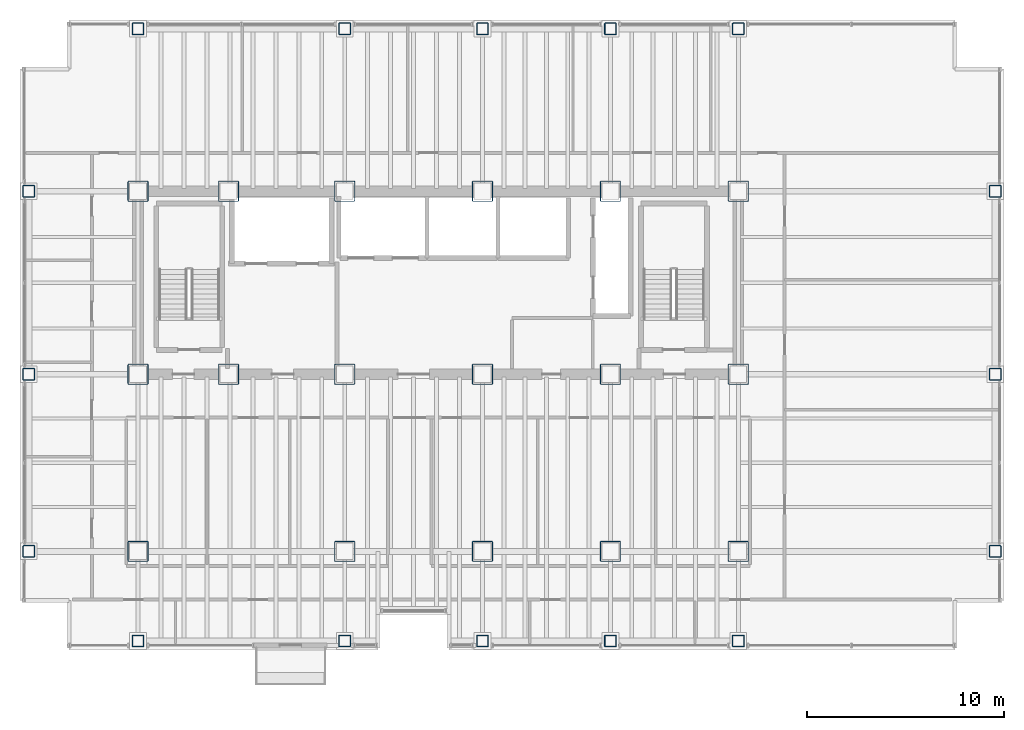
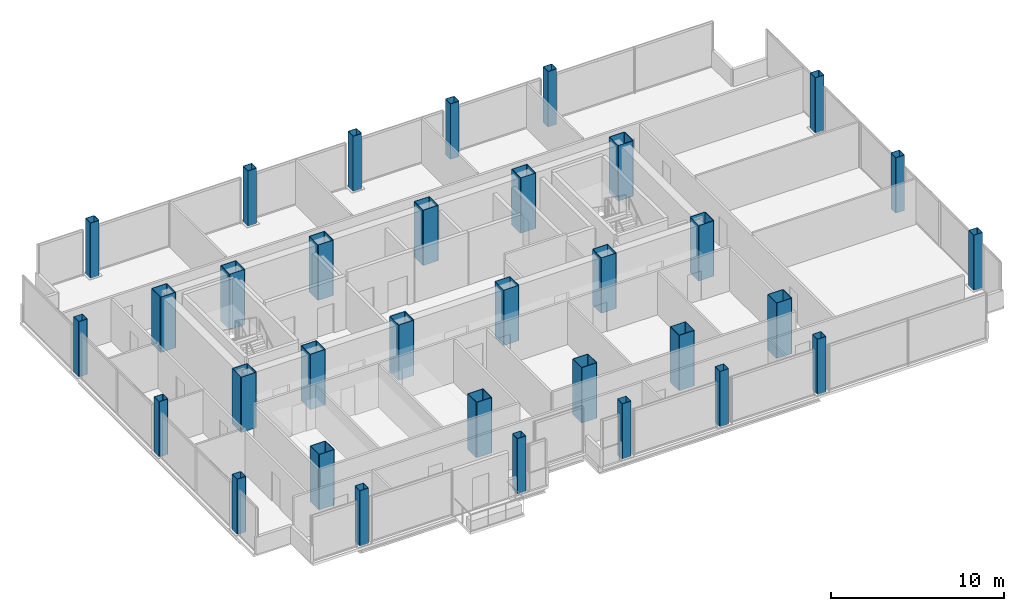
# One storey, part 1 of 20: 33 columns.
"""IFC4 building model written with IfcOpenShell, lengths in metres."""

import ifcopenshell
import ifcopenshell.guid

model = None  # the IFC model being written
_history = None  # IfcOwnerHistory: only IFC2X3 demands one
_inside = {}  # id of a spatial element -> (the spatial element, [elements in it])
_under = {}  # id of a project, library or spatial element -> (it, [spatial elements below it])
_declared = {}  # id of a project -> (the project, [libraries it declares])
_typed = {}  # id of a type object -> (the type object, [elements of that type])
_made_of = {}  # id of a material, layer set ... -> (it, [elements and type objects made of it])


def new_model(schema):
    """Start an empty IFC model of exactly this schema.

    Asked for "IFC4X3", IfcOpenShell would pick the latest addendum, in which some entities
    have other attributes; the version numbers below select the first issue.
    IFC2X3 requires an IfcOwnerHistory on every rooted entity: one is made here for all.
    """
    global model, _history
    if schema == "IFC4X3":
        model = ifcopenshell.file(schema_version=(4, 3, 0, 0))
    else:
        model = ifcopenshell.file(schema=schema)
    _inside.clear()
    _under.clear()
    _declared.clear()
    _typed.clear()
    _made_of.clear()
    _history = None
    if model.schema == "IFC2X3":
        org = make("IfcOrganization", Name="unknown")
        user = make(
            "IfcPersonAndOrganization",
            ThePerson=make("IfcPerson", FamilyName="unknown"),
            TheOrganization=org,
        )
        app = make(
            "IfcApplication",
            ApplicationDeveloper=org,
            Version="unknown",
            ApplicationFullName="unknown",
            ApplicationIdentifier="unknown",
        )
        _history = make(
            "IfcOwnerHistory",
            OwningUser=user,
            OwningApplication=app,
            ChangeAction="ADDED",
            CreationDate=0,
        )
    return model


def make(cls, **values):
    """One entity of the class cls with the attributes given. An attribute that is None is left unset."""
    return model.create_entity(
        cls, **{name: value for name, value in values.items() if value is not None}
    )


def rooted(cls, **values):
    """An entity with a GlobalId (a new one), such as an element, a storey or a relation."""
    return make(cls, GlobalId=ifcopenshell.guid.new(), OwnerHistory=_history, **values)


def si_unit(unit_type, name, prefix=None):
    """IfcSIUnit, for example si_unit("LENGTHUNIT", "METRE", prefix="MILLI")."""
    return make("IfcSIUnit", UnitType=unit_type, Prefix=prefix, Name=name)


def assignment(units):
    """IfcUnitAssignment: the units of a project."""
    return None if units is None else make("IfcUnitAssignment", Units=units)


def point(xyz):
    """IfcCartesianPoint."""
    return None if xyz is None else make("IfcCartesianPoint", Coordinates=xyz)


def direction(xyz):
    """IfcDirection."""
    return None if xyz is None else make("IfcDirection", DirectionRatios=xyz)


def frame(location, z_axis=None, x_axis=None):
    """IfcAxis2Placement3D, a coordinate frame: its origin and axes. An axis left out is left unset."""
    return make(
        "IfcAxis2Placement3D",
        Location=point(location),
        Axis=direction(z_axis),
        RefDirection=direction(x_axis),
    )


def frame_2d(location, x_axis=None):
    """IfcAxis2Placement2D, a coordinate frame in the plane: its origin and x axis."""
    return make(
        "IfcAxis2Placement2D", Location=point(location), RefDirection=direction(x_axis)
    )


def origin():
    """The frame at (0, 0, 0) with its axes left unset."""
    return frame((0.0, 0.0, 0.0))


def origin_2d():
    """The frame at (0, 0) in the plane with its x axis left unset."""
    return frame_2d((0.0, 0.0))


def place(relative_to, where):
    """IfcLocalPlacement: puts the frame where relative to a parent placement (None: the world)."""
    return make(
        "IfcLocalPlacement", PlacementRelTo=relative_to, RelativePlacement=where
    )


def context(
    kind, dimensions, precision=None, world=None, true_north=None, identifier=None
):
    """IfcGeometricRepresentationContext, for example the 3D "Model" context."""
    return make(
        "IfcGeometricRepresentationContext",
        ContextIdentifier=identifier,
        ContextType=kind,
        CoordinateSpaceDimension=dimensions,
        Precision=precision,
        WorldCoordinateSystem=world,
        TrueNorth=true_north,
    )


def subcontext(parent, identifier, kind, view, scale=None):
    """IfcGeometricRepresentationSubContext, for example "Body" below "Model"."""
    return make(
        "IfcGeometricRepresentationSubContext",
        ContextIdentifier=identifier,
        ContextType=kind,
        ParentContext=parent,
        TargetScale=scale,
        TargetView=view,
    )


def project(units=None, contexts=None):
    """IfcProject with its units and contexts."""
    return rooted(
        "IfcProject",
        Name="project",
        RepresentationContexts=contexts,
        UnitsInContext=assignment(units),
    )


def spatial(cls, under=None, at=None, **own):
    """A site, building, storey or space (cls), placed at a placement, below another one or the project."""
    s = rooted(cls, ObjectPlacement=at, **own)
    if under is not None:
        _under.setdefault(under.id(), (under, []))[1].append(s)
    return s


def profile(cls, at=None, kind="AREA", **sizes):
    """A parametric profile (cls). Its sizes go by their IFC names, for example OverallWidth=200.0."""
    return make(cls, ProfileType=kind, Position=at, **sizes)


def hollow_rectangle(**sizes):
    """IfcRectangleHollowProfileDef."""
    return profile("IfcRectangleHollowProfileDef", **sizes)


def extrude(swept, where, along, depth):
    """IfcExtrudedAreaSolid: the profile swept, set in the frame where, extruded along a direction by depth."""
    return make(
        "IfcExtrudedAreaSolid",
        SweptArea=swept,
        Position=where,
        ExtrudedDirection=direction(along),
        Depth=depth,
    )


def shape(context_of_items, identifier, shape_type, items):
    """IfcShapeRepresentation: the items that make up one representation, for example the "Body"."""
    return make(
        "IfcShapeRepresentation",
        ContextOfItems=context_of_items,
        RepresentationIdentifier=identifier,
        RepresentationType=shape_type,
        Items=items,
    )


def material(Name=None, Category=None):
    """IfcMaterial."""
    return make("IfcMaterial", Name=Name, Category=Category)


def material_profile(
    of_material, cross_section, Name=None, Category=None, Priority=None
):
    """IfcMaterialProfile: a cross section and its material."""
    return make(
        "IfcMaterialProfile",
        Name=Name,
        Material=of_material,
        Profile=cross_section,
        Priority=Priority,
        Category=Category,
    )


def profile_set(profiles, Name=None, composite=None):
    """IfcMaterialProfileSet."""
    return make(
        "IfcMaterialProfileSet",
        Name=Name,
        MaterialProfiles=profiles,
        CompositeProfile=composite,
    )


def made_of(thing, what):
    """Note that an element or type object is made of a material, layer set ...; save() writes the relation."""
    if what is not None:
        _made_of.setdefault(what.id(), (what, []))[1].append(thing)
    return thing


def type_object(cls, material=None, **own):
    """A type object (cls), such as IfcWallType, which elements share."""
    return made_of(rooted(cls, **own), material)


def element(
    cls,
    number,
    at=None,
    inside=None,
    cuts=None,
    type_object=None,
    material=None,
    context=None,
    identifier="Body",
    shape_type=None,
    held_by="IfcProductDefinitionShape",
    body=None,
    shapes=None,
    **own,
):
    """One element of the class cls, such as IfcWall. Its Tag is "e" and its number.

    at: its placement. inside: the storey or other place that contains it. cuts: it is an
    opening in that element (IfcRelVoidsElement). A single representation is given by context,
    identifier, shape_type and body (its items); several are given by shapes. held_by: the class
    of the entity that holds the representations. save() writes the other relations.
    """
    e = rooted(cls, Tag="e%d" % number, ObjectPlacement=at, **own)
    if body is not None:
        shapes = [shape(context, identifier, shape_type, body)]
    if shapes is not None:
        e.Representation = make(held_by, Representations=shapes)
    if inside is not None:
        _inside.setdefault(inside.id(), (inside, []))[1].append(e)
    if cuts is not None:
        rooted(
            "IfcRelVoidsElement", RelatingBuildingElement=cuts, RelatedOpeningElement=e
        )
    if type_object is not None:
        _typed.setdefault(type_object.id(), (type_object, []))[1].append(e)
    return made_of(e, material)


def aggregate(whole, parts):
    """IfcRelAggregates: a whole, such as a stair, and the parts it consists of."""
    return rooted("IfcRelAggregates", RelatingObject=whole, RelatedObjects=parts)


def save(model, path):
    """Write the relations noted so far, then the file.

    IfcRelAggregates (storeys below a building ...), IfcRelContainedInSpatialStructure (elements
    in a storey), IfcRelDefinesByType, IfcRelAssociatesMaterial and IfcRelDeclares: one each for
    every whole, place, type object, material and project.
    """
    for whole, parts in _under.values():
        aggregate(whole, parts)
    for where, things in _inside.values():
        rooted(
            "IfcRelContainedInSpatialStructure",
            RelatedElements=things,
            RelatingStructure=where,
        )
    for kind, things in _typed.values():
        rooted("IfcRelDefinesByType", RelatedObjects=things, RelatingType=kind)
    for what, things in _made_of.values():
        rooted("IfcRelAssociatesMaterial", RelatedObjects=things, RelatingMaterial=what)
    for by, libraries in _declared.values():
        rooted("IfcRelDeclares", RelatingContext=by, RelatedDefinitions=libraries)
    model.write(path)


model = new_model("IFC4")

# Units and contexts
model_context = context("Model", 3, precision=1e-05, world=origin(), true_north=direction((0.0, 1.0)))
body_context = subcontext(model_context, "Body", "Model", "MODEL_VIEW")
ifc_project = project(units=[si_unit("LENGTHUNIT", "METRE"), si_unit("AREAUNIT", "SQUARE_METRE"), si_unit("VOLUMEUNIT", "CUBIC_METRE"), si_unit("PLANEANGLEUNIT", "RADIAN"), si_unit("MASSUNIT", "GRAM", prefix="KILO")], contexts=[model_context])

# Site, building, storey
site_placement = place(None, origin())
site = spatial("IfcSite", under=ifc_project, at=site_placement, CompositionType="ELEMENT")
building_placement = place(site_placement, origin())
building = spatial("IfcBuilding", under=site, at=building_placement, Name="Noeulbin Bourse Tower", CompositionType="ELEMENT")
storey_placement = place(building_placement, frame((0.0, 0.0, 57.699951171875)))
storey = spatial("IfcBuildingStorey", under=building, at=storey_placement, Name="L14", CompositionType="ELEMENT", Elevation=57.699951171875)

# Columns
ifc_material = material(Name="Steel S460", Category="steel")
ifc_material_profile_1 = material_profile(ifc_material, hollow_rectangle(XDim=0.60009765625, YDim=0.60009765625, WallThickness=0.02587890625, InnerFilletRadius=0.012939453125, OuterFilletRadius=0.0390625, at=origin_2d()), Name="BOX-600x600x26", Category="LoadBearing")
ifc_profile_set_1 = profile_set([ifc_material_profile_1], Name="Steel S460")
column_type_1 = type_object("IfcColumnType", Name="COL-PER-Z1", PredefinedType="COLUMN", material=ifc_profile_set_1)
for number, where, z_axis, x_axis, name in (
    (1, (7.949951171875, 20.0, 0.0), (0.0, 0.0, 1.0), (1.0, 0.0, 0.0), "Tower Perimeter Column COL-PER-Z1 01"),
    (2, (7.949951171875, 29.0, 0.0), (0.0, 0.0, 1.0), (1.0, 0.0, 0.0), "Tower Perimeter Column COL-PER-Z1 02"),
    (3, (7.949951171875, 38.300048828125, 0.0), (0.0, 0.0, 1.0), (1.0, 0.0, 0.0), "Tower Perimeter Column COL-PER-Z1 03"),
    (4, (13.5, 15.449951171875, 0.0), (0.0, 0.0, 1.0), (1.0, 0.0, 0.0), "Tower Perimeter Column COL-PER-Z1 04"),
    (5, (13.5, 46.550048828125, 0.0), (0.0, 0.0, 1.0), (1.0, 0.0, 0.0), "Tower Perimeter Column COL-PER-Z1 05"),
    (6, (24.0, 15.449951171875, 0.0), (0.0, 0.0, 1.0), (1.0, 0.0, 0.0), "Tower Perimeter Column COL-PER-Z1 06"),
    (7, (24.0, 46.550048828125, 0.0), (0.0, 0.0, 1.0), (1.0, 0.0, 0.0), "Tower Perimeter Column COL-PER-Z1 07"),
    (8, (31.0, 15.449951171875, 0.0), (0.0, 0.0, 1.0), (1.0, 0.0, 0.0), "Tower Perimeter Column COL-PER-Z1 08"),
    (9, (31.0, 46.550048828125, 0.0), (0.0, 0.0, 1.0), (1.0, 0.0, 0.0), "Tower Perimeter Column COL-PER-Z1 09"),
    (10, (37.5, 15.449951171875, 0.0), (0.0, 0.0, 1.0), (1.0, 0.0, 0.0), "Tower Perimeter Column COL-PER-Z1 10"),
    (11, (37.5, 46.550048828125, 0.0), (0.0, 0.0, 1.0), (1.0, 0.0, 0.0), "Tower Perimeter Column COL-PER-Z1 11"),
    (12, (44.0, 15.449951171875, 0.0), (0.0, 0.0, 1.0), (1.0, 0.0, 0.0), "Tower Perimeter Column COL-PER-Z1 12"),
    (13, (44.0, 46.550048828125, 0.0), (0.0, 0.0, 1.0), (1.0, 0.0, 0.0), "Tower Perimeter Column COL-PER-Z1 13"),
    (14, (57.050048828125, 20.0, 0.0), (0.0, 0.0, 1.0), (1.0, 0.0, 0.0), "Tower Perimeter Column COL-PER-Z1 14"),
    (15, (57.050048828125, 29.0, 0.0), (0.0, 0.0, 1.0), (1.0, 0.0, 0.0), "Tower Perimeter Column COL-PER-Z1 15"),
    (16, (57.050048828125, 38.300048828125, 0.0), (0.0, 0.0, 1.0), (1.0, 0.0, 0.0), "Tower Perimeter Column COL-PER-Z1 16"),
):
    element("IfcColumn", number, at=place(storey_placement, frame(where, z_axis=z_axis, x_axis=x_axis)), inside=storey, type_object=column_type_1, Name=name, PredefinedType="COLUMN", context=body_context, shape_type="SweptSolid", body=[
        extrude(hollow_rectangle(XDim=0.60009765625, YDim=0.60009765625, WallThickness=0.02587890625, InnerFilletRadius=0.012939453125, OuterFilletRadius=0.0390625, at=origin_2d()), origin(), (0.0, 0.0, 1.0), 3.900146484375),
    ])
ifc_material_profile_2 = material_profile(ifc_material, hollow_rectangle(XDim=1.050048828125, YDim=1.050048828125, WallThickness=0.0380859375, InnerFilletRadius=0.01904296875, OuterFilletRadius=0.056884765625, at=origin_2d()), Name="BOX-1050x1050x38", Category="LoadBearing")
ifc_profile_set_2 = profile_set([ifc_material_profile_2], Name="Steel S460")
column_type_2 = type_object("IfcColumnType", Name="COL-TRK-Z1", PredefinedType="COLUMN", material=ifc_profile_set_2)
for number, where, z_axis, x_axis, name in (
    (17, (13.5, 29.0, 0.0), (0.0, 0.0, 1.0), (1.0, 0.0, 0.0), "Tower Trunk Mega-Column COL-TRK-Z1 01"),
    (18, (13.5, 38.300048828125, 0.0), (0.0, 0.0, 1.0), (1.0, 0.0, 0.0), "Tower Trunk Mega-Column COL-TRK-Z1 02"),
    (19, (18.10009765625, 29.0, 0.0), (0.0, 0.0, 1.0), (1.0, 0.0, 0.0), "Tower Trunk Mega-Column COL-TRK-Z1 03"),
    (20, (18.10009765625, 38.300048828125, 0.0), (0.0, 0.0, 1.0), (1.0, 0.0, 0.0), "Tower Trunk Mega-Column COL-TRK-Z1 04"),
    (21, (24.0, 29.0, 0.0), (0.0, 0.0, 1.0), (1.0, 0.0, 0.0), "Tower Trunk Mega-Column COL-TRK-Z1 05"),
    (22, (24.0, 38.300048828125, 0.0), (0.0, 0.0, 1.0), (1.0, 0.0, 0.0), "Tower Trunk Mega-Column COL-TRK-Z1 06"),
    (23, (31.0, 29.0, 0.0), (0.0, 0.0, 1.0), (1.0, 0.0, 0.0), "Tower Trunk Mega-Column COL-TRK-Z1 07"),
    (24, (31.0, 38.300048828125, 0.0), (0.0, 0.0, 1.0), (1.0, 0.0, 0.0), "Tower Trunk Mega-Column COL-TRK-Z1 08"),
    (25, (37.5, 29.0, 0.0), (0.0, 0.0, 1.0), (1.0, 0.0, 0.0), "Tower Trunk Mega-Column COL-TRK-Z1 09"),
    (26, (37.5, 38.300048828125, 0.0), (0.0, 0.0, 1.0), (1.0, 0.0, 0.0), "Tower Trunk Mega-Column COL-TRK-Z1 10"),
    (27, (44.0, 29.0, 0.0), (0.0, 0.0, 1.0), (1.0, 0.0, 0.0), "Tower Trunk Mega-Column COL-TRK-Z1 11"),
    (28, (44.0, 38.300048828125, 0.0), (0.0, 0.0, 1.0), (1.0, 0.0, 0.0), "Tower Trunk Mega-Column COL-TRK-Z1 12"),
    (29, (13.5, 20.0, 0.0), (0.0, 0.0, 1.0), (1.0, 0.0, 0.0), "Tower Trunk Mega-Column COL-TRK-Z1 13"),
    (30, (24.0, 20.0, 0.0), (0.0, 0.0, 1.0), (1.0, 0.0, 0.0), "Tower Trunk Mega-Column COL-TRK-Z1 14"),
    (31, (31.0, 20.0, 0.0), (0.0, 0.0, 1.0), (1.0, 0.0, 0.0), "Tower Trunk Mega-Column COL-TRK-Z1 15"),
    (32, (37.5, 20.0, 0.0), (0.0, 0.0, 1.0), (1.0, 0.0, 0.0), "Tower Trunk Mega-Column COL-TRK-Z1 16"),
    (33, (44.0, 20.0, 0.0), (0.0, 0.0, 1.0), (1.0, 0.0, 0.0), "Tower Trunk Mega-Column COL-TRK-Z1 17"),
):
    element("IfcColumn", number, at=place(storey_placement, frame(where, z_axis=z_axis, x_axis=x_axis)), inside=storey, type_object=column_type_2, Name=name, PredefinedType="COLUMN", context=body_context, shape_type="SweptSolid", body=[
        extrude(hollow_rectangle(XDim=1.050048828125, YDim=1.050048828125, WallThickness=0.0380859375, InnerFilletRadius=0.01904296875, OuterFilletRadius=0.056884765625, at=origin_2d()), origin(), (0.0, 0.0, 1.0), 3.900146484375),
    ])

save(model, "model.ifc")
